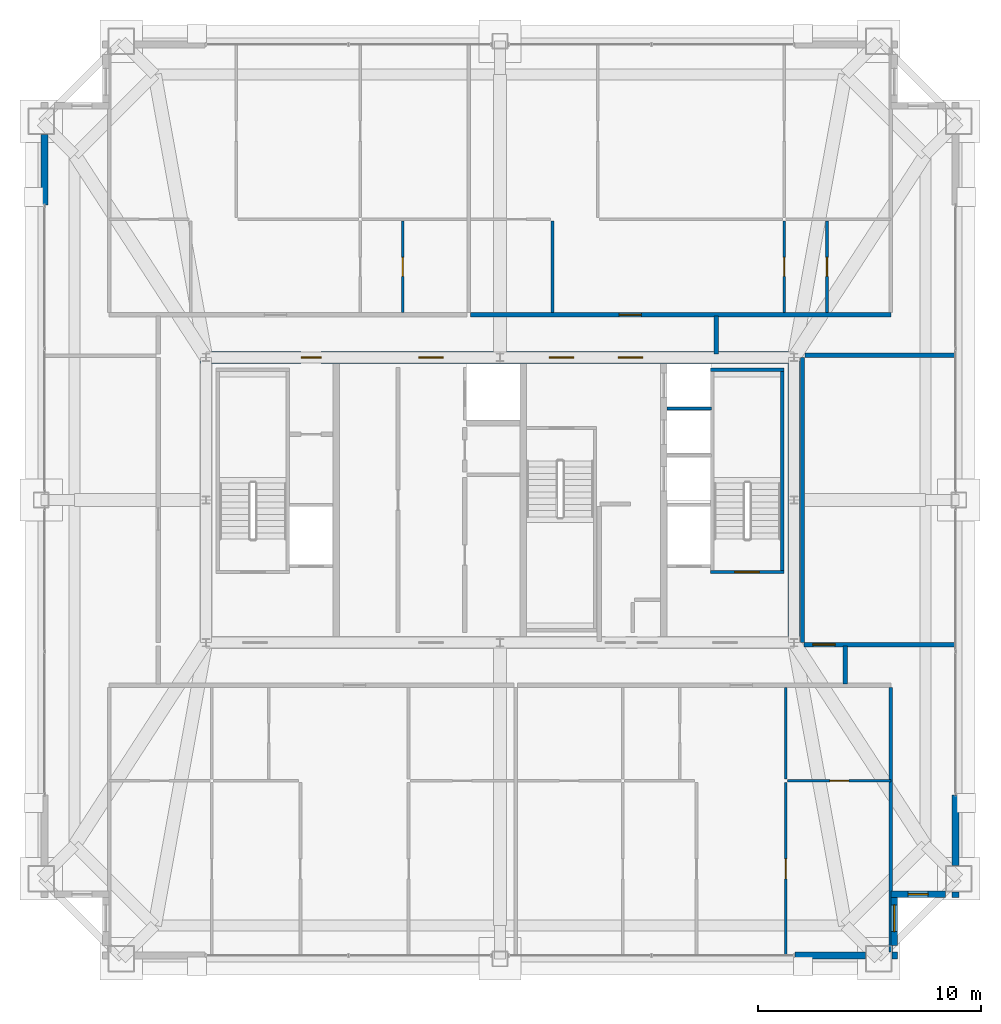
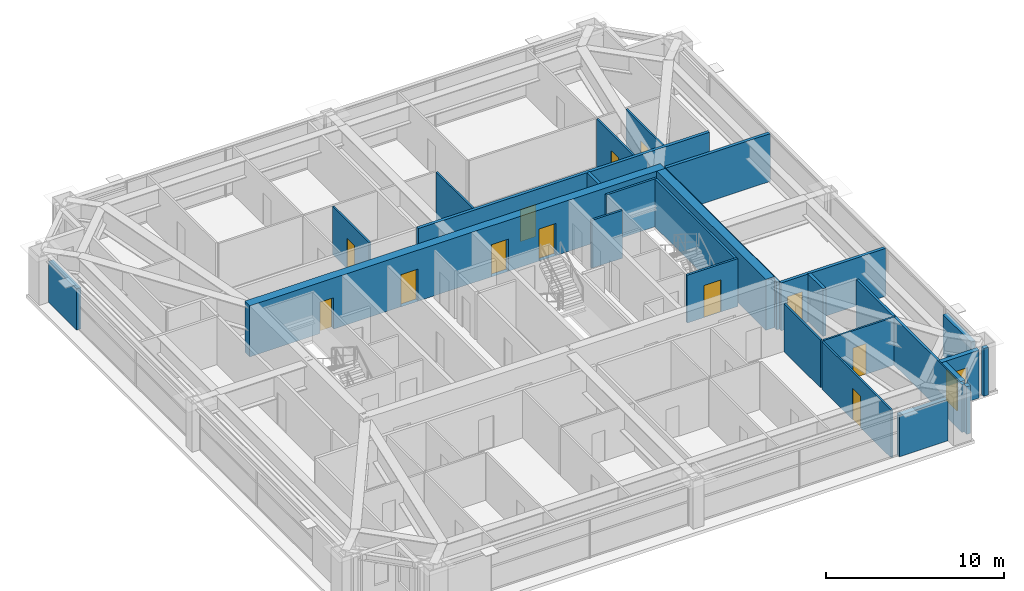
# One storey, part 31 of 33: 27 walls, 12 doors, 2 windows, 14 openings.
"""IFC4 building model written with IfcOpenShell, lengths in metres."""

from ifc_helpers import new_model, si_unit, direction, frame, frame_2d, origin, place, context, subcontext, project, spatial, rectangle, extrude, source, transform, mapped, material, layer, layer_set, type_object, element, fill, save


model = new_model("IFC4")

# Units and contexts
model_context = context("Model", 3, precision=1e-05, world=origin(), true_north=direction((0.0, 1.0)))
body_context = subcontext(model_context, "Body", "Model", "MODEL_VIEW")
ifc_project = project(units=[si_unit("LENGTHUNIT", "METRE"), si_unit("AREAUNIT", "SQUARE_METRE"), si_unit("VOLUMEUNIT", "CUBIC_METRE"), si_unit("PLANEANGLEUNIT", "RADIAN"), si_unit("MASSUNIT", "GRAM", prefix="KILO"), si_unit("THERMODYNAMICTEMPERATUREUNIT", "KELVIN"), si_unit("POWERUNIT", "WATT")], contexts=[model_context])

# Site, building, storey
site_placement = place(None, origin())
site = spatial("IfcSite", under=ifc_project, at=site_placement, CompositionType="ELEMENT")
building_placement = place(site_placement, origin())
building = spatial("IfcBuilding", under=site, at=building_placement, Name="Yuzanri Waterfront Tower", CompositionType="ELEMENT")
storey_placement = place(building_placement, frame((0.0, 0.0, 282.10009765625)))
storey = spatial("IfcBuildingStorey", under=building, at=storey_placement, Name="L75", CompositionType="ELEMENT", Elevation=282.10009765625)

# Wall, opening, door
ifc_material_1 = material(Name="Moisture-Resistant Gypsum Stud Wall", Category="gypsum")
ifc_layer_1 = layer(ifc_material_1, 0.1201171875)
ifc_layer_set_1 = layer_set([ifc_layer_1], Name="Moisture-Resistant Gypsum Stud Wall")
wall_type_1 = type_object("IfcWallType", Name="Bathroom and Kitchen Wet Partition 120", PredefinedType="PARTITIONING", material=ifc_layer_set_1)
wall_1_placement = place(storey_placement, frame((49.9130859375, 13.199951171875, 0.0), z_axis=(0.0, 0.0, 1.0), x_axis=(1.0, 0.0, 0.0)))
wall_1 = element("IfcWall", 1, at=wall_1_placement, inside=storey, type_object=wall_type_1, Name="L75 Partition UW-L75-HS2-SUB-3-S", PredefinedType="PARTITIONING", context=body_context, shape_type="SweptSolid", body=[
    extrude(rectangle(XDim=4.64697265625, YDim=0.1201171875, at=frame_2d((2.323486328125, 0.0))), origin(), (0.0, 0.0, 1.0), 3.27978515625),
])
opening_1_placement = place(wall_1_placement, frame((1.8984375, 0.0, 0.0)))
opening_1 = element("IfcOpeningElement", 2, at=opening_1_placement, cuts=wall_1, Name="Opening ID-0850", PredefinedType="OPENING", context=body_context, shape_type="SweptSolid", body=[
    extrude(rectangle(XDim=0.85009765625, YDim=2.10009765625, at=frame_2d((0.425048828125, 1.050048828125))), frame((0.0, 0.074951171875, 0.0), z_axis=(0.0, -1.0, 0.0), x_axis=(1.0, 0.0, 0.0)), (0.0, 0.0, 1.0), 0.14990234375),
])
ifc_material_2 = material(Name="Moisture-Resistant Lacquered Timber", Category="wood")
door_type_1 = type_object("IfcDoorType", Name="En-Suite Bathroom and Kitchen Swing Door 850x2100", OperationType="NOTDEFINED", PredefinedType="DOOR", material=ifc_material_2)
shared_shape_1 = source(origin(), body_context, "Body", "SweptSolid", [
    extrude(rectangle(XDim=0.85009765625, YDim=2.10009765625, at=frame_2d((0.425048828125, 1.050048828125))), frame((0.0, 0.02490234375, 0.0), z_axis=(0.0, -1.0, 0.0), x_axis=(1.0, 0.0, 0.0)), (0.0, 0.0, 1.0), 0.050048828125),
])
door_1_placement = place(opening_1_placement, origin())
door_1 = element("IfcDoor", 3, at=door_1_placement, inside=storey, type_object=door_type_1, Name="L75 Suite Interior Room Door", OperationType="SINGLE_SWING_LEFT", OverallHeight=2.10009765625, OverallWidth=0.85009765625, PredefinedType="DOOR", context=body_context, shape_type="MappedRepresentation", body=[
    mapped(shared_shape_1, transform((0.0, 0.0, 0.0), scale=1.0)),
])
fill(opening_1, door_1)

wall_2_placement = place(storey_placement, frame((49.8330078125, 5.35009765625, 0.0), z_axis=(0.0, 0.0, 1.0), x_axis=(0.0, 1.0, 0.0)))
wall_2 = element("IfcWall", 4, at=wall_2_placement, inside=storey, type_object=wall_type_1, Name="L75 Partition UW-L75-HS2-SUB-5-W", PredefinedType="PARTITIONING", context=body_context, shape_type="SweptSolid", body=[
    extrude(rectangle(XDim=7.77001953125, YDim=0.1201171875, at=frame_2d((3.885009765625, 0.0))), origin(), (0.0, 0.0, 1.0), 3.27978515625),
])
opening_2_placement = place(wall_2_placement, frame((3.43505859375, 0.0, 0.0)))
opening_2 = element("IfcOpeningElement", 5, at=opening_2_placement, cuts=wall_2, Name="Opening ID-0900", PredefinedType="OPENING", context=body_context, shape_type="SweptSolid", body=[
    extrude(rectangle(XDim=0.89990234375, YDim=2.14990234375, at=frame_2d((0.449951171875, 1.074951171875))), frame((0.0, 0.074951171875, 0.0), z_axis=(0.0, -1.0, 0.0), x_axis=(1.0, 0.0, 0.0)), (0.0, 0.0, 1.0), 0.14990234375),
])
ifc_material_3 = material(Name="Stained Walnut Veneer Timber", Category="wood")
door_type_2 = type_object("IfcDoorType", Name="Bedroom and Study Interior Swing Door 900x2150", OperationType="NOTDEFINED", PredefinedType="DOOR", material=ifc_material_3)
shared_shape_2 = source(origin(), body_context, "Body", "SweptSolid", [
    extrude(rectangle(XDim=0.89990234375, YDim=2.14990234375, at=frame_2d((0.449951171875, 1.074951171875))), frame((0.0, 0.02490234375, 0.0), z_axis=(0.0, -1.0, 0.0), x_axis=(1.0, 0.0, 0.0)), (0.0, 0.0, 1.0), 0.050048828125),
])
door_2_placement = place(opening_2_placement, origin())
door_2 = element("IfcDoor", 6, at=door_2_placement, inside=storey, type_object=door_type_2, Name="L75 Suite Interior Room Door", OperationType="SINGLE_SWING_LEFT", OverallHeight=2.14990234375, OverallWidth=0.89990234375, PredefinedType="DOOR", context=body_context, shape_type="MappedRepresentation", body=[
    mapped(shared_shape_2, transform((0.0, 0.0, 0.0), scale=1.0)),
])
fill(opening_2, door_2)

wall_3_placement = place(storey_placement, frame((32.635009765625, 34.2099609375, 0.0), z_axis=(0.0, 0.0, 1.0), x_axis=(0.0, 1.0, 0.0)))
wall_3 = element("IfcWall", 7, at=wall_3_placement, inside=storey, type_object=wall_type_1, Name="L75 Partition UW-L75-HN1-SUB-2-W", PredefinedType="PARTITIONING", context=body_context, shape_type="SweptSolid", body=[
    extrude(rectangle(XDim=4.110107421875, YDim=0.1201171875, at=frame_2d((2.05517578125, 0.0))), origin(), (0.0, 0.0, 1.0), 3.27978515625),
])
opening_3_placement = place(wall_3_placement, frame((1.6298828125, 0.0, 0.0)))
opening_3 = element("IfcOpeningElement", 8, at=opening_3_placement, cuts=wall_3, Name="Opening ID-0850", PredefinedType="OPENING", context=body_context, shape_type="SweptSolid", body=[
    extrude(rectangle(XDim=0.85009765625, YDim=2.10009765625, at=frame_2d((0.425048828125, 1.050048828125))), frame((0.0, 0.074951171875, 0.0), z_axis=(0.0, -1.0, 0.0), x_axis=(1.0, 0.0, 0.0)), (0.0, 0.0, 1.0), 0.14990234375),
])
door_3_placement = place(opening_3_placement, origin())
door_3 = element("IfcDoor", 9, at=door_3_placement, inside=storey, type_object=door_type_1, Name="L75 Suite Interior Room Door", OperationType="SINGLE_SWING_LEFT", OverallHeight=2.10009765625, OverallWidth=0.85009765625, PredefinedType="DOOR", context=body_context, shape_type="MappedRepresentation", body=[
    mapped(shared_shape_1, transform((0.0, 0.0, 0.0), scale=1.0)),
])
fill(opening_3, door_3)

wall_4_placement = place(storey_placement, frame((51.679931640625, 34.2099609375, 0.0), z_axis=(0.0, 0.0, 1.0), x_axis=(0.0, 1.0, 0.0)))
wall_4 = element("IfcWall", 10, at=wall_4_placement, inside=storey, type_object=wall_type_1, Name="L75 Partition UW-L75-HN2-SUB-2-W", PredefinedType="PARTITIONING", context=body_context, shape_type="SweptSolid", body=[
    extrude(rectangle(XDim=4.110107421875, YDim=0.1201171875, at=frame_2d((2.05517578125, 0.0))), origin(), (0.0, 0.0, 1.0), 3.27978515625),
])
opening_4_placement = place(wall_4_placement, frame((1.6298828125, 0.0, 0.0)))
opening_4 = element("IfcOpeningElement", 11, at=opening_4_placement, cuts=wall_4, Name="Opening ID-0850", PredefinedType="OPENING", context=body_context, shape_type="SweptSolid", body=[
    extrude(rectangle(XDim=0.85009765625, YDim=2.10009765625, at=frame_2d((0.425048828125, 1.050048828125))), frame((0.0, 0.074951171875, 0.0), z_axis=(0.0, -1.0, 0.0), x_axis=(1.0, 0.0, 0.0)), (0.0, 0.0, 1.0), 0.14990234375),
])
door_4_placement = place(opening_4_placement, origin())
door_4 = element("IfcDoor", 12, at=door_4_placement, inside=storey, type_object=door_type_1, Name="L75 Suite Interior Room Door", OperationType="SINGLE_SWING_LEFT", OverallHeight=2.10009765625, OverallWidth=0.85009765625, PredefinedType="DOOR", context=body_context, shape_type="MappedRepresentation", body=[
    mapped(shared_shape_1, transform((0.0, 0.0, 0.0), scale=1.0)),
])
fill(opening_4, door_4)

wall_5_placement = place(storey_placement, frame((49.76806640625, 34.2099609375, 0.0), z_axis=(0.0, 0.0, 1.0), x_axis=(0.0, 1.0, 0.0)))
wall_5 = element("IfcWall", 13, at=wall_5_placement, inside=storey, type_object=wall_type_1, Name="L75 Partition UW-L75-HN2-SUB-4-W", PredefinedType="PARTITIONING", context=body_context, shape_type="SweptSolid", body=[
    extrude(rectangle(XDim=4.110107421875, YDim=0.1201171875, at=frame_2d((2.05517578125, 0.0))), origin(), (0.0, 0.0, 1.0), 3.27978515625),
])
opening_5_placement = place(wall_5_placement, frame((1.6298828125, 0.0, 0.0)))
opening_5 = element("IfcOpeningElement", 14, at=opening_5_placement, cuts=wall_5, Name="Opening ID-0850", PredefinedType="OPENING", context=body_context, shape_type="SweptSolid", body=[
    extrude(rectangle(XDim=0.85009765625, YDim=2.10009765625, at=frame_2d((0.425048828125, 1.050048828125))), frame((0.0, 0.074951171875, 0.0), z_axis=(0.0, -1.0, 0.0), x_axis=(1.0, 0.0, 0.0)), (0.0, 0.0, 1.0), 0.14990234375),
])
door_5_placement = place(opening_5_placement, origin())
door_5 = element("IfcDoor", 15, at=door_5_placement, inside=storey, type_object=door_type_1, Name="L75 Suite Interior Room Door", OperationType="SINGLE_SWING_LEFT", OverallHeight=2.10009765625, OverallWidth=0.85009765625, PredefinedType="DOOR", context=body_context, shape_type="MappedRepresentation", body=[
    mapped(shared_shape_1, transform((0.0, 0.0, 0.0), scale=1.0)),
])
fill(opening_5, door_5)

# Wall, opening, window
ifc_material_4 = material(Name="Honed Chongqing Dark Basalt Stone", Category="masonry")
ifc_layer_2 = layer(ifc_material_4, 0.300048828125)
ifc_layer_set_2 = layer_set([ifc_layer_2], Name="Honed Chongqing Dark Basalt Stone")
wall_type_2 = type_object("IfcWallType", Name="Bronze Rainscreen Insulated Spandrel Portal Wall 300", PredefinedType="SOLIDWALL", material=ifc_layer_set_2)
wall_6_placement = place(storey_placement, frame((54.550048828125, 8.10009765625, 0.0), z_axis=(0.0, 0.0, 1.0), x_axis=(1.0, 0.0, 0.0)))
wall_6 = element("IfcWall", 16, at=wall_6_placement, inside=storey, type_object=wall_type_2, Name="L75 Notched Corner Masonry Wall SE-X", PredefinedType="SOLIDWALL", context=body_context, shape_type="SweptSolid", body=[
    extrude(rectangle(XDim=2.449951171875, YDim=0.300048828125, at=frame_2d((1.22509765625, 0.0))), origin(), (0.0, 0.0, 1.0), 3.27978515625),
])
opening_6_placement = place(wall_6_placement, frame((0.77490234375, 0.0, 0.85009765625)))
opening_6 = element("IfcOpeningElement", 17, at=opening_6_placement, cuts=wall_6, Name="Opening WN-05", PredefinedType="OPENING", context=body_context, shape_type="SweptSolid", body=[
    extrude(rectangle(XDim=0.89990234375, YDim=1.5, at=frame_2d((0.449951171875, 0.75))), frame((0.0, 0.1650390625, 0.0), z_axis=(0.0, -1.0, 0.0), x_axis=(1.0, 0.0, 0.0)), (0.0, 0.0, 1.0), 0.329833984375),
])
ifc_material_5 = material(Name="Double-Silver Low-E Insulated Glass", Category="glass")
window_type_1 = type_object("IfcWindowType", Name="Anodized Bronze Service and Stairwell Smoke-Vent Window 900x1500", PartitioningType="SINGLE_PANEL", PredefinedType="WINDOW", material=ifc_material_5)
shared_shape_3 = source(origin(), body_context, "Body", "SweptSolid", [
    extrude(rectangle(XDim=0.89990234375, YDim=1.5, at=frame_2d((0.449951171875, 0.75))), frame((0.0, 0.030029296875, 0.0), z_axis=(0.0, -1.0, 0.0), x_axis=(1.0, 0.0, 0.0)), (0.0, 0.0, 1.0), 0.06005859375),
])
window_1_placement = place(opening_6_placement, origin())
window_1 = element("IfcWindow", 18, at=window_1_placement, inside=storey, type_object=window_type_1, Name="L75 Notched Corner Window SE-X", OverallHeight=1.5, OverallWidth=0.89990234375, PartitioningType="SINGLE_PANEL", PredefinedType="WINDOW", context=body_context, shape_type="MappedRepresentation", body=[
    mapped(shared_shape_3, transform((0.0, 0.0, 0.0), scale=1.0)),
])
fill(opening_6, window_1)

wall_7_placement = place(storey_placement, frame((54.699951171875, 5.800048828125, 0.0), z_axis=(0.0, 0.0, 1.0), x_axis=(0.0, 1.0, 0.0)))
wall_7 = element("IfcWall", 19, at=wall_7_placement, inside=storey, type_object=wall_type_2, Name="L75 Notched Corner Masonry Wall SE-Y", PredefinedType="SOLIDWALL", context=body_context, shape_type="SweptSolid", body=[
    extrude(rectangle(XDim=2.449951171875, YDim=0.300048828125, at=frame_2d((1.22509765625, 0.0))), origin(), (0.0, 0.0, 1.0), 3.27978515625),
])
opening_7_placement = place(wall_7_placement, frame((0.625, 0.0, 0.85009765625)))
opening_7 = element("IfcOpeningElement", 20, at=opening_7_placement, cuts=wall_7, Name="Opening WN-02", PredefinedType="OPENING", context=body_context, shape_type="SweptSolid", body=[
    extrude(rectangle(XDim=1.199951171875, YDim=2.10009765625, at=frame_2d((0.60009765625, 1.050048828125))), frame((0.0, 0.1650390625, 0.0), z_axis=(0.0, -1.0, 0.0), x_axis=(1.0, 0.0, 0.0)), (0.0, 0.0, 1.0), 0.329833984375),
])
ifc_material_6 = material(Name="Double-Silver Low-E Insulated Glass", Category="glass")
window_type_2 = type_object("IfcWindowType", Name="Anodized Bronze Notched Corner Deep-Set Slot Window 1200x2100", PartitioningType="SINGLE_PANEL", PredefinedType="WINDOW", material=ifc_material_6)
shared_shape_4 = source(origin(), body_context, "Body", "SweptSolid", [
    extrude(rectangle(XDim=1.199951171875, YDim=2.10009765625, at=frame_2d((0.60009765625, 1.050048828125))), frame((0.0, 0.030029296875, 0.0), z_axis=(0.0, -1.0, 0.0), x_axis=(1.0, 0.0, 0.0)), (0.0, 0.0, 1.0), 0.06005859375),
])
window_2_placement = place(opening_7_placement, origin())
window_2 = element("IfcWindow", 21, at=window_2_placement, inside=storey, type_object=window_type_2, Name="L75 Notched Corner Window SE-Y", OverallHeight=2.10009765625, OverallWidth=1.199951171875, PartitioningType="SINGLE_PANEL", PredefinedType="WINDOW", context=body_context, shape_type="MappedRepresentation", body=[
    mapped(shared_shape_4, transform((0.0, 0.0, 0.0), scale=1.0)),
])
fill(opening_7, window_2)

# Wall, openings, doors
ifc_material_7 = material(Name="Concrete C50", Category="concrete")
ifc_layer_3 = layer(ifc_material_7, 0.550048828125)
ifc_layer_set_3 = layer_set([ifc_layer_3], Name="Concrete C50")
wall_type_3 = type_object("IfcWallType", Name="Concrete C50 Upper-Mid Zone Core Shear Wall 550", PredefinedType="SHEAR", material=ifc_layer_set_3)
wall_8_placement = place(storey_placement, frame((23.52490234375, 32.199951171875, 0.0), z_axis=(0.0, 0.0, 1.0), x_axis=(1.0, 0.0, 0.0)))
wall_8 = element("IfcWall", 22, at=wall_8_placement, inside=storey, type_object=wall_type_3, Name="L75 Core North Shear Wall", PredefinedType="SHEAR", context=body_context, shape_type="SweptSolid", body=[
    extrude(rectangle(XDim=26.9501953125, YDim=0.550048828125, at=frame_2d((13.47509765625, 0.0))), origin(), (0.0, 0.0, 1.0), 3.5),
])
opening_8_placement = place(wall_8_placement, frame((4.544921875, 0.0, 0.0)))
opening_8 = element("IfcOpeningElement", 23, at=opening_8_placement, cuts=wall_8, Name="Opening FD-0900", PredefinedType="OPENING", context=body_context, shape_type="SweptSolid", body=[
    extrude(rectangle(XDim=0.89990234375, YDim=2.14990234375, at=frame_2d((0.449951171875, 1.074951171875))), frame((0.0, 0.2900390625, 0.0), z_axis=(0.0, -1.0, 0.0), x_axis=(1.0, 0.0, 0.0)), (0.0, 0.0, 1.0), 0.579833984375),
])
opening_9_placement = place(wall_8_placement, frame((9.824951171875, 0.0, 0.0)))
opening_9 = element("IfcOpeningElement", 24, at=opening_9_placement, cuts=wall_8, Name="Opening FD-1100", PredefinedType="OPENING", context=body_context, shape_type="SweptSolid", body=[
    extrude(rectangle(XDim=1.10009765625, YDim=2.199951171875, at=frame_2d((0.550048828125, 1.10009765625))), frame((0.0, 0.2900390625, 0.0), z_axis=(0.0, -1.0, 0.0), x_axis=(1.0, 0.0, 0.0)), (0.0, 0.0, 1.0), 0.579833984375),
])
opening_10_placement = place(wall_8_placement, frame((15.675048828125, 0.0, 0.0)))
opening_10 = element("IfcOpeningElement", 25, at=opening_10_placement, cuts=wall_8, Name="Opening FD-1100", PredefinedType="OPENING", context=body_context, shape_type="SweptSolid", body=[
    extrude(rectangle(XDim=1.10009765625, YDim=2.199951171875, at=frame_2d((0.550048828125, 1.10009765625))), frame((0.0, 0.2900390625, 0.0), z_axis=(0.0, -1.0, 0.0), x_axis=(1.0, 0.0, 0.0)), (0.0, 0.0, 1.0), 0.579833984375),
])
opening_11_placement = place(wall_8_placement, frame((18.77490234375, 0.0, 0.0)))
opening_11 = element("IfcOpeningElement", 26, at=opening_11_placement, cuts=wall_8, Name="Opening FD-1100", PredefinedType="OPENING", context=body_context, shape_type="SweptSolid", body=[
    extrude(rectangle(XDim=1.10009765625, YDim=2.199951171875, at=frame_2d((0.550048828125, 1.10009765625))), frame((0.0, 0.2900390625, 0.0), z_axis=(0.0, -1.0, 0.0), x_axis=(1.0, 0.0, 0.0)), (0.0, 0.0, 1.0), 0.579833984375),
])
ifc_material_8 = material(Name="Painted Galvanized Fire Steel", Category="steel")
door_type_3 = type_object("IfcDoorType", Name="Smoke-Proof Stair and Lobby Fire Door 1100x2200", OperationType="NOTDEFINED", PredefinedType="DOOR", material=ifc_material_8)
shared_shape_5 = source(origin(), body_context, "Body", "SweptSolid", [
    extrude(rectangle(XDim=1.10009765625, YDim=2.199951171875, at=frame_2d((0.550048828125, 1.10009765625))), frame((0.0, 0.02490234375, 0.0), z_axis=(0.0, -1.0, 0.0), x_axis=(1.0, 0.0, 0.0)), (0.0, 0.0, 1.0), 0.050048828125),
])
door_6_placement = place(opening_9_placement, origin())
door_6 = element("IfcDoor", 27, at=door_6_placement, inside=storey, type_object=door_type_3, Name="L75 Central Lift Lobby North Door", OperationType="SINGLE_SWING_RIGHT", OverallHeight=2.199951171875, OverallWidth=1.10009765625, PredefinedType="DOOR", context=body_context, shape_type="MappedRepresentation", body=[
    mapped(shared_shape_5, transform((0.0, 0.0, 0.0), scale=1.0)),
])
fill(opening_9, door_6)
door_7_placement = place(opening_10_placement, origin())
door_7 = element("IfcDoor", 28, at=door_7_placement, inside=storey, type_object=door_type_3, Name="L75 North Stair Lobby Door", OperationType="SINGLE_SWING_LEFT", OverallHeight=2.199951171875, OverallWidth=1.10009765625, PredefinedType="DOOR", context=body_context, shape_type="MappedRepresentation", body=[
    mapped(shared_shape_5, transform((0.0, 0.0, 0.0), scale=1.0)),
])
fill(opening_10, door_7)
door_8_placement = place(opening_11_placement, origin())
door_8 = element("IfcDoor", 29, at=door_8_placement, inside=storey, type_object=door_type_3, Name="L75 High-Rise Lift Lobby North Door", OperationType="SINGLE_SWING_RIGHT", OverallHeight=2.199951171875, OverallWidth=1.10009765625, PredefinedType="DOOR", context=body_context, shape_type="MappedRepresentation", body=[
    mapped(shared_shape_5, transform((0.0, 0.0, 0.0), scale=1.0)),
])
fill(opening_11, door_8)
ifc_material_9 = material(Name="Painted Galvanized Fire Steel", Category="steel")
door_type_4 = type_object("IfcDoorType", Name="Riser and Service Room Fire Door 900x2150", OperationType="NOTDEFINED", PredefinedType="DOOR", material=ifc_material_9)
shared_shape_6 = source(origin(), body_context, "Body", "SweptSolid", [
    extrude(rectangle(XDim=0.89990234375, YDim=2.14990234375, at=frame_2d((0.449951171875, 1.074951171875))), frame((0.0, 0.02490234375, 0.0), z_axis=(0.0, -1.0, 0.0), x_axis=(1.0, 0.0, 0.0)), (0.0, 0.0, 1.0), 0.050048828125),
])
door_9_placement = place(opening_8_placement, origin())
door_9 = element("IfcDoor", 30, at=door_9_placement, inside=storey, type_object=door_type_4, Name="L75 Telecom Riser Door", OperationType="SINGLE_SWING_LEFT", OverallHeight=2.14990234375, OverallWidth=0.89990234375, PredefinedType="DOOR", context=body_context, shape_type="MappedRepresentation", body=[
    mapped(shared_shape_6, transform((0.0, 0.0, 0.0), scale=1.0)),
])
fill(opening_8, door_9)

# Wall, opening, door
ifc_material_10 = material(Name="Concrete C40", Category="concrete")
ifc_layer_4 = layer(ifc_material_10, 0.139892578125)
ifc_layer_set_4 = layer_set([ifc_layer_4], Name="Concrete C40")
wall_type_4 = type_object("IfcWallType", Name="Core Stair Liner and Hoistway Shaft Wall 140", PredefinedType="SOLIDWALL", material=ifc_layer_set_4)
wall_9_placement = place(storey_placement, frame((46.4599609375, 22.570068359375, 0.0), z_axis=(0.0, 0.0, 1.0), x_axis=(1.0, 0.0, 0.0)))
wall_9 = element("IfcWall", 31, at=wall_9_placement, inside=storey, type_object=wall_type_4, Name="L75 Shaft Wall STW-L75-ST-02-S", PredefinedType="SOLIDWALL", context=body_context, shape_type="SweptSolid", body=[
    extrude(rectangle(XDim=3.280029296875, YDim=0.139892578125, at=frame_2d((1.64013671875, 0.0))), origin(), (0.0, 0.0, 1.0), 3.27978515625),
])
opening_12_placement = place(wall_9_placement, frame((1.090087890625, 0.0, 0.0)))
opening_12 = element("IfcOpeningElement", 32, at=opening_12_placement, cuts=wall_9, Name="Opening FD-1100", PredefinedType="OPENING", context=body_context, shape_type="SweptSolid", body=[
    extrude(rectangle(XDim=1.10009765625, YDim=2.199951171875, at=frame_2d((0.550048828125, 1.10009765625))), frame((0.0, 0.0849609375, 0.0), z_axis=(0.0, -1.0, 0.0), x_axis=(1.0, 0.0, 0.0)), (0.0, 0.0, 1.0), 0.169677734375),
])
door_10_placement = place(opening_12_placement, origin())
door_10 = element("IfcDoor", 33, at=door_10_placement, inside=storey, type_object=door_type_3, Name="L75 Stair ST-02 Fire Door", OperationType="SINGLE_SWING_RIGHT", OverallHeight=2.199951171875, OverallWidth=1.10009765625, PredefinedType="DOOR", context=body_context, shape_type="MappedRepresentation", body=[
    mapped(shared_shape_5, transform((0.0, 0.0, 0.0), scale=1.0)),
])
fill(opening_12, door_10)

ifc_material_11 = material(Name="Autoclaved Aerated Concrete Blockwork", Category="masonry")
ifc_layer_5 = layer(ifc_material_11, 0.199951171875)
ifc_layer_set_5 = layer_set([ifc_layer_5], Name="Autoclaved Aerated Concrete Blockwork")
wall_type_5 = type_object("IfcWallType", Name="Corridor and Unit Party Fire Wall 200", PredefinedType="PARTITIONING", material=ifc_layer_set_5)
wall_10_placement = place(storey_placement, frame((35.675048828125, 34.110107421875, 0.0), z_axis=(0.0, 0.0, 1.0), x_axis=(1.0, 0.0, 0.0)))
wall_10 = element("IfcWall", 34, at=wall_10_placement, inside=storey, type_object=wall_type_5, Name="L75 Partition UW-L75-HN2-CS", PredefinedType="PARTITIONING", context=body_context, shape_type="SweptSolid", body=[
    extrude(rectangle(XDim=18.885009765625, YDim=0.199951171875, at=frame_2d((9.4423828125, 0.0))), origin(), (0.0, 0.0, 1.0), 3.27978515625),
])
opening_13_placement = place(wall_10_placement, frame((6.66796875, 0.0, 0.0)))
opening_13 = element("IfcOpeningElement", 35, at=opening_13_placement, cuts=wall_10, Name="Opening FD-1000", PredefinedType="OPENING", context=body_context, shape_type="SweptSolid", body=[
    extrude(rectangle(XDim=1.0, YDim=2.199951171875, at=frame_2d((0.5, 1.10009765625))), frame((0.0, 0.11474609375, 0.0), z_axis=(0.0, -1.0, 0.0), x_axis=(1.0, 0.0, 0.0)), (0.0, 0.0, 1.0), 0.229736328125),
])
ifc_material_12 = material(Name="Engineered Oak Fire-Rated Timber", Category="wood")
door_type_5 = type_object("IfcDoorType", Name="Guestroom and Apartment Entrance Fire Door 1000x2200", OperationType="NOTDEFINED", PredefinedType="DOOR", material=ifc_material_12)
shared_shape_7 = source(origin(), body_context, "Body", "SweptSolid", [
    extrude(rectangle(XDim=1.0, YDim=2.199951171875, at=frame_2d((0.5, 1.10009765625))), frame((0.0, 0.02490234375, 0.0), z_axis=(0.0, -1.0, 0.0), x_axis=(1.0, 0.0, 0.0)), (0.0, 0.0, 1.0), 0.050048828125),
])
door_11_placement = place(opening_13_placement, origin())
door_11 = element("IfcDoor", 36, at=door_11_placement, inside=storey, type_object=door_type_5, Name="L75 Apartment Living Room Entrance Door", OperationType="SINGLE_SWING_LEFT", OverallHeight=2.199951171875, OverallWidth=1.0, PredefinedType="DOOR", context=body_context, shape_type="MappedRepresentation", body=[
    mapped(shared_shape_7, transform((0.0, 0.0, 0.0), scale=1.0)),
])
fill(opening_13, door_11)

wall_11_placement = place(storey_placement, frame((50.64990234375, 19.31005859375, 0.0), z_axis=(0.0, 0.0, 1.0), x_axis=(1.0, 0.0, 0.0)))
wall_11 = element("IfcWall", 37, at=wall_11_placement, inside=storey, type_object=wall_type_5, Name="L75 Partition UW-L75-046-CS", PredefinedType="PARTITIONING", context=body_context, shape_type="SweptSolid", body=[
    extrude(rectangle(XDim=6.800048828125, YDim=0.199951171875, at=frame_2d((3.39990234375, 0.0))), origin(), (0.0, 0.0, 1.0), 3.27978515625),
])
opening_14_placement = place(wall_11_placement, frame((0.39990234375, 0.0, 0.0)))
opening_14 = element("IfcOpeningElement", 38, at=opening_14_placement, cuts=wall_11, Name="Opening FD-1000", PredefinedType="OPENING", context=body_context, shape_type="SweptSolid", body=[
    extrude(rectangle(XDim=1.0, YDim=2.199951171875, at=frame_2d((0.5, 1.10009765625))), frame((0.0, 0.11474609375, 0.0), z_axis=(0.0, -1.0, 0.0), x_axis=(1.0, 0.0, 0.0)), (0.0, 0.0, 1.0), 0.229736328125),
])
door_12_placement = place(opening_14_placement, origin())
door_12 = element("IfcDoor", 39, at=door_12_placement, inside=storey, type_object=door_type_5, Name="L75 High-Rise E Private Dining Restaurant Entrance Door", OperationType="SINGLE_SWING_RIGHT", OverallHeight=2.199951171875, OverallWidth=1.0, PredefinedType="DOOR", context=body_context, shape_type="MappedRepresentation", body=[
    mapped(shared_shape_7, transform((0.0, 0.0, 0.0), scale=1.0)),
])
fill(opening_14, door_12)

# Walls
shared_shape_8 = source(origin(), body_context, "Body", "SweptSolid", [
    extrude(rectangle(XDim=12.25, YDim=0.550048828125, at=frame_2d((6.125, 0.0))), origin(), (0.0, 0.0, 1.0), 3.5),
])
wall_12_placement = place(storey_placement, frame((50.199951171875, 19.675048828125, 0.0), z_axis=(0.0, 0.0, 1.0), x_axis=(0.0, 1.0, 0.0)))
element("IfcWall", 40, at=wall_12_placement, inside=storey, type_object=wall_type_3, Name="L75 Core East Shear Wall", PredefinedType="SHEAR", context=body_context, shape_type="MappedRepresentation", body=[
    mapped(shared_shape_8, transform((0.0, 0.0, 0.0), scale=1.0)),
])
shared_shape_9 = source(origin(), body_context, "Body", "SweptSolid", [
    extrude(rectangle(XDim=0.25, YDim=0.300048828125, at=frame_2d((0.125, 0.0))), origin(), (0.0, 0.0, 1.0), 3.27978515625),
])
for number, where, z_axis, x_axis, name in (
    (41, (54.60009765625, 5.35009765625, 0.0), (0.0, 0.0, 1.0), (1.0, 0.0, 0.0), "L75 Corner Column Shoulder Return CSE"),
    (42, (57.449951171875, 7.949951171875, 0.0), (0.0, 0.0, 1.0), (0.0, 1.0, 0.0), "L75 Corner Column Shoulder Return CES"),
):
    element("IfcWall", number, at=place(storey_placement, frame(where, z_axis=z_axis, x_axis=x_axis)), inside=storey, type_object=wall_type_2, Name=name, PredefinedType="SOLIDWALL", context=body_context, shape_type="MappedRepresentation", body=[
        mapped(shared_shape_9, transform((0.0, 0.0, 0.0), scale=1.0)),
    ])
shared_shape_10 = source(origin(), body_context, "Body", "SweptSolid", [
    extrude(rectangle(XDim=3.14990234375, YDim=0.300048828125, at=frame_2d((1.574951171875, 0.0))), origin(), (0.0, 0.0, 1.0), 2.8349609375),
])
for number, where, z_axis, x_axis, name in (
    (43, (50.25, 5.35009765625, 0.0), (0.0, 0.0, 1.0), (1.0, 0.0, 0.0), "L75 S Right Braced Masonry Shoulder"),
    (44, (16.550048828125, 39.050048828125, 0.0), (0.0, 0.0, 1.0), (0.0, 1.0, 0.0), "L75 W Right Braced Masonry Shoulder"),
):
    element("IfcWall", number, at=place(storey_placement, frame(where, z_axis=z_axis, x_axis=x_axis)), inside=storey, type_object=wall_type_2, Name=name, PredefinedType="SOLIDWALL", context=body_context, shape_type="MappedRepresentation", body=[
        mapped(shared_shape_10, transform((0.0, 0.0, 0.0), scale=1.0)),
    ])
shared_shape_11 = source(origin(), body_context, "Body", "SweptSolid", [
    extrude(rectangle(XDim=3.150146484375, YDim=0.300048828125, at=frame_2d((1.5751953125, 0.0))), origin(), (0.0, 0.0, 1.0), 2.8349609375),
])
wall_13_placement = place(storey_placement, frame((57.449951171875, 9.39990234375, 0.0), z_axis=(0.0, 0.0, 1.0), x_axis=(0.0, 1.0, 0.0)))
element("IfcWall", 45, at=wall_13_placement, inside=storey, type_object=wall_type_2, Name="L75 E Left Braced Masonry Shoulder", PredefinedType="SOLIDWALL", context=body_context, shape_type="MappedRepresentation", body=[
    mapped(shared_shape_11, transform((0.0, 0.0, 0.0), scale=1.0)),
])
shared_shape_12 = source(origin(), body_context, "Body", "SweptSolid", [
    extrude(rectangle(XDim=2.0, YDim=0.139892578125, at=frame_2d((1.0, 0.0))), origin(), (0.0, 0.0, 1.0), 3.27978515625),
])
wall_14_placement = place(storey_placement, frame((44.5, 29.89990234375, 0.0), z_axis=(0.0, 0.0, 1.0), x_axis=(1.0, 0.0, 0.0)))
element("IfcWall", 46, at=wall_14_placement, inside=storey, type_object=wall_type_4, Name="L75 Lift PL-10 Divider Wall", PredefinedType="SOLIDWALL", context=body_context, shape_type="MappedRepresentation", body=[
    mapped(shared_shape_12, transform((0.0, 0.0, 0.0), scale=1.0)),
])
shared_shape_13 = source(origin(), body_context, "Body", "SweptSolid", [
    extrude(rectangle(XDim=3.280029296875, YDim=0.139892578125, at=frame_2d((1.64013671875, 0.0))), origin(), (0.0, 0.0, 1.0), 3.27978515625),
])
wall_15_placement = place(storey_placement, frame((46.4599609375, 31.64990234375, 0.0), z_axis=(0.0, 0.0, 1.0), x_axis=(1.0, 0.0, 0.0)))
element("IfcWall", 47, at=wall_15_placement, inside=storey, type_object=wall_type_4, Name="L75 Stair ST-02 North Shaft Wall", PredefinedType="SOLIDWALL", context=body_context, shape_type="MappedRepresentation", body=[
    mapped(shared_shape_13, transform((0.0, 0.0, 0.0), scale=1.0)),
])
shared_shape_14 = source(origin(), body_context, "Body", "SweptSolid", [
    extrude(rectangle(XDim=8.940185546875, YDim=0.139892578125, at=frame_2d((4.47021484375, 0.0))), origin(), (0.0, 0.0, 1.0), 3.27978515625),
])
wall_16_placement = place(storey_placement, frame((49.669921875, 22.639892578125, 0.0), z_axis=(0.0, 0.0, 1.0), x_axis=(0.0, 1.0, 0.0)))
element("IfcWall", 48, at=wall_16_placement, inside=storey, type_object=wall_type_4, Name="L75 Stair ST-02 East Shaft Wall", PredefinedType="SOLIDWALL", context=body_context, shape_type="MappedRepresentation", body=[
    mapped(shared_shape_14, transform((0.0, 0.0, 0.0), scale=1.0)),
])
shared_shape_15 = source(origin(), body_context, "Body", "SweptSolid", [
    extrude(rectangle(XDim=4.10986328125, YDim=0.1201171875, at=frame_2d((2.054931640625, 0.0))), origin(), (0.0, 0.0, 1.0), 3.27978515625),
])
wall_17_placement = place(storey_placement, frame((49.8330078125, 13.280029296875, 0.0), z_axis=(0.0, 0.0, 1.0), x_axis=(0.0, 1.0, 0.0)))
element("IfcWall", 49, at=wall_17_placement, inside=storey, type_object=wall_type_1, Name="L75 Partition UW-L75-HS2-SUB-3-W", PredefinedType="PARTITIONING", context=body_context, shape_type="MappedRepresentation", body=[
    mapped(shared_shape_15, transform((0.0, 0.0, 0.0), scale=1.0)),
])
shared_shape_16 = source(origin(), body_context, "Body", "SweptSolid", [
    extrude(rectangle(XDim=4.110107421875, YDim=0.1201171875, at=frame_2d((2.05517578125, 0.0))), origin(), (0.0, 0.0, 1.0), 3.27978515625),
])
wall_18_placement = place(storey_placement, frame((39.35498046875, 34.2099609375, 0.0), z_axis=(0.0, 0.0, 1.0), x_axis=(0.0, 1.0, 0.0)))
element("IfcWall", 50, at=wall_18_placement, inside=storey, type_object=wall_type_1, Name="L75 Partition UW-L75-HN2-SUB-1-E", PredefinedType="PARTITIONING", context=body_context, shape_type="MappedRepresentation", body=[
    mapped(shared_shape_16, transform((0.0, 0.0, 0.0), scale=1.0)),
])
shared_shape_17 = source(origin(), body_context, "Body", "SweptSolid", [
    extrude(rectangle(XDim=1.699951171875, YDim=0.199951171875, at=frame_2d((0.85009765625, 0.0))), origin(), (0.0, 0.0, 1.0), 3.27978515625),
])
for number, where, z_axis, x_axis, name in (
    (51, (46.699951171875, 32.35009765625, 0.0), (0.0, 0.0, 1.0), (0.0, 1.0, 0.0), "L75 North Foyer East End Wall"),
    (52, (52.5, 17.550048828125, 0.0), (0.0, 0.0, 1.0), (0.0, 1.0, 0.0), "L75 South Foyer East End Wall"),
):
    element("IfcWall", number, at=place(storey_placement, frame(where, z_axis=z_axis, x_axis=x_axis)), inside=storey, type_object=wall_type_5, Name=name, PredefinedType="PARTITIONING", context=body_context, shape_type="MappedRepresentation", body=[
        mapped(shared_shape_17, transform((0.0, 0.0, 0.0), scale=1.0)),
    ])
ifc_material_13 = material(Name="Gypsum Fireboard Acoustic Stud Wall", Category="gypsum")
ifc_layer_6 = layer(ifc_material_13, 0.159912109375)
ifc_layer_set_6 = layer_set([ifc_layer_6], Name="Gypsum Fireboard Acoustic Stud Wall")
wall_type_6 = type_object("IfcWallType", Name="Acoustic Suite Demising Partition 160", PredefinedType="PARTITIONING", material=ifc_layer_set_6)
shared_shape_18 = source(origin(), body_context, "Body", "SweptSolid", [
    extrude(rectangle(XDim=11.889892578125, YDim=0.159912109375, at=frame_2d((5.94482421875, 0.0))), origin(), (0.0, 0.0, 1.0), 3.27978515625),
])
wall_19_placement = place(storey_placement, frame((54.550048828125, 5.5, 0.0), z_axis=(0.0, 0.0, 1.0), x_axis=(0.0, 1.0, 0.0)))
element("IfcWall", 53, at=wall_19_placement, inside=storey, type_object=wall_type_6, Name="L75 South Band East End Wall", PredefinedType="PARTITIONING", context=body_context, shape_type="MappedRepresentation", body=[
    mapped(shared_shape_18, transform((0.0, 0.0, 0.0), scale=1.0)),
])
shared_shape_19 = source(origin(), body_context, "Body", "SweptSolid", [
    extrude(rectangle(XDim=12.780029296875, YDim=0.199951171875, at=frame_2d((6.39013671875, 0.0))), origin(), (0.0, 0.0, 1.0), 3.27978515625),
])
wall_20_placement = place(storey_placement, frame((50.580078125, 19.409912109375, 0.0), z_axis=(0.0, 0.0, 1.0), x_axis=(0.0, 1.0, 0.0)))
element("IfcWall", 54, at=wall_20_placement, inside=storey, type_object=wall_type_5, Name="L75-046 Wing Inner Core-Side Wall", PredefinedType="PARTITIONING", context=body_context, shape_type="MappedRepresentation", body=[
    mapped(shared_shape_19, transform((0.0, 0.0, 0.0), scale=1.0)),
])
shared_shape_20 = source(origin(), body_context, "Body", "SweptSolid", [
    extrude(rectangle(XDim=6.764892578125, YDim=0.199951171875, at=frame_2d((3.38232421875, 0.0))), origin(), (0.0, 0.0, 1.0), 3.27978515625),
])
wall_21_placement = place(storey_placement, frame((50.68505859375, 32.2900390625, 0.0), z_axis=(0.0, 0.0, 1.0), x_axis=(1.0, 0.0, 0.0)))
element("IfcWall", 55, at=wall_21_placement, inside=storey, type_object=wall_type_5, Name="L75-046 Wing North Wall", PredefinedType="PARTITIONING", context=body_context, shape_type="MappedRepresentation", body=[
    mapped(shared_shape_20, transform((0.0, 0.0, 0.0), scale=1.0)),
])

save(model, "model.ifc")
